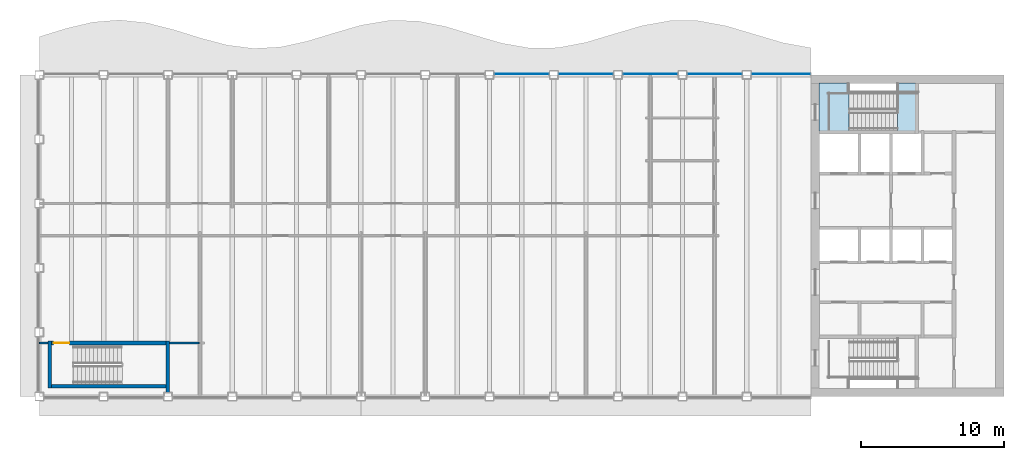
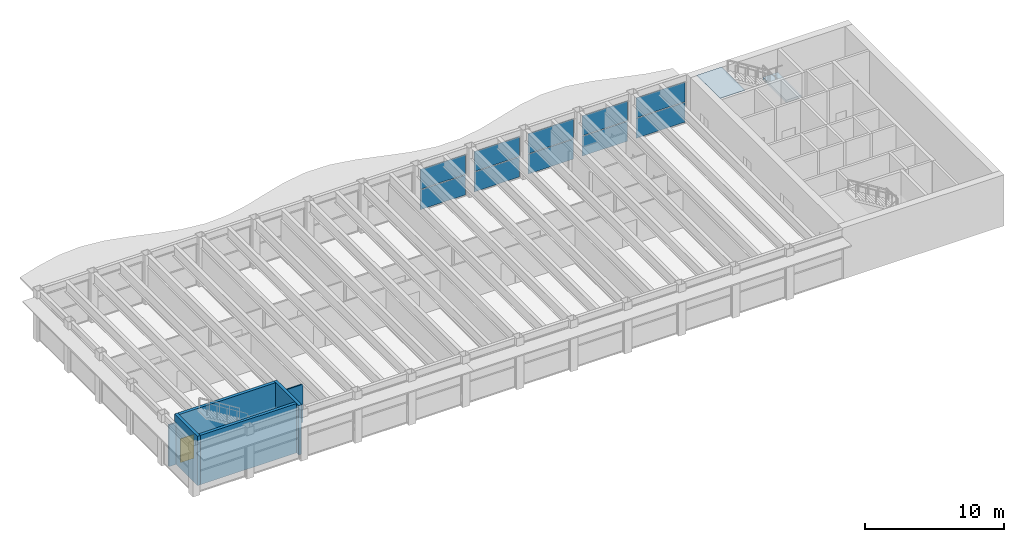
# One storey, part 8 of 15: 10 plates, 6 walls, 2 slabs, 1 door, 1 opening, 6 elements without a shape of their own.
"""IFC4 building model written with IfcOpenShell, lengths in metres."""

from ifc_helpers import new_model, si_unit, direction, frame, frame_2d, origin, origin_2d, place, context, subcontext, project, spatial, polyline, rectangle, outline, extrude, material, layer, layer_set, type_object, element, fill, aggregate, save


model = new_model("IFC4")

# Units and contexts
model_context = context("Model", 3, precision=1e-05, world=origin(), true_north=direction((0.0, 1.0)))
body_context = subcontext(model_context, "Body", "Model", "MODEL_VIEW")
ifc_project = project(units=[si_unit("LENGTHUNIT", "METRE"), si_unit("AREAUNIT", "SQUARE_METRE"), si_unit("VOLUMEUNIT", "CUBIC_METRE"), si_unit("PLANEANGLEUNIT", "RADIAN"), si_unit("MASSUNIT", "GRAM", prefix="KILO")], contexts=[model_context])

# Site, building, storey
site_placement = place(None, origin())
site = spatial("IfcSite", under=ifc_project, at=site_placement, CompositionType="ELEMENT")
building_placement = place(site_placement, origin())
building = spatial("IfcBuilding", under=site, at=building_placement, Name="Sennacour Bend Tower", CompositionType="ELEMENT")
storey_placement = place(building_placement, frame((0.0, 0.0, 323.0)))
storey = spatial("IfcBuildingStorey", under=building, at=storey_placement, Name="L74", CompositionType="ELEMENT", Elevation=323.0)

# Curtain wall, plates
ifc_material_1 = material(Name="Bronze anodised aluminium curtain wall with clear glass", Category="aluminium")
curtain_wall_type = type_object("IfcCurtainWallType", Name="CURTAIN WALL EXEC", PredefinedType="NOTDEFINED", material=ifc_material_1)
curtain_wall_1_placement = place(storey_placement, origin())
curtain_wall_1 = element("IfcCurtainWall", 1, at=curtain_wall_1_placement, inside=storey, type_object=curtain_wall_type, Name="Executive floor glass wall L74", PredefinedType="NOTDEFINED")
ifc_material_2 = material(Name="Clear low-emissivity glass", Category="glass")
ifc_layer_1 = layer(ifc_material_2, 0.031982421875, Name="Clear low-emissivity glass", Category="glass")
ifc_layer_set_1 = layer_set([ifc_layer_1], Name="Clear low-emissivity glass")
plate_type = type_object("IfcPlateType", Name="PNL-GLASS-IGU32", PredefinedType="CURTAIN_PANEL", material=ifc_layer_set_1)
plate_1_placement = place(storey_placement, frame((51.89990234375, 22.574951171875, 0.06005859375), z_axis=(0.0, 0.0, 1.0), x_axis=(-1.0, 0.0, 0.0)))
plate_1 = element("IfcPlate", 2, at=plate_1_placement, type_object=plate_type, Name="GW3 curtain wall panel 1.1", PredefinedType="CURTAIN_PANEL", context=body_context, shape_type="SweptSolid", body=[
    extrude(rectangle(XDim=4.080078125, YDim=0.031982421875, at=origin_2d()), origin(), (0.0, 0.0, 1.0), 1.74609375),
])
plate_2_placement = place(storey_placement, frame((51.89990234375, 22.574951171875, 1.865966796875), z_axis=(0.0, 0.0, 1.0), x_axis=(-1.0, 0.0, 0.0)))
plate_2 = element("IfcPlate", 3, at=plate_2_placement, type_object=plate_type, Name="GW3 curtain wall panel 1.2", PredefinedType="CURTAIN_PANEL", context=body_context, shape_type="SweptSolid", body=[
    extrude(rectangle(XDim=4.080078125, YDim=0.031982421875, at=origin_2d()), origin(), (0.0, 0.0, 1.0), 1.74609375),
])
aggregate(curtain_wall_1, [plate_1, plate_2])

curtain_wall_2_placement = place(storey_placement, origin())
curtain_wall_2 = element("IfcCurtainWall", 4, at=curtain_wall_2_placement, inside=storey, type_object=curtain_wall_type, Name="Executive floor glass wall L74", PredefinedType="NOTDEFINED")
plate_3_placement = place(storey_placement, frame((47.25, 22.574951171875, 0.06005859375), z_axis=(0.0, 0.0, 1.0), x_axis=(-1.0, 0.0, 0.0)))
plate_3 = element("IfcPlate", 5, at=plate_3_placement, type_object=plate_type, Name="GW3 curtain wall panel 1.1", PredefinedType="CURTAIN_PANEL", context=body_context, shape_type="SweptSolid", body=[
    extrude(rectangle(XDim=3.780029296875, YDim=0.031982421875, at=origin_2d()), origin(), (0.0, 0.0, 1.0), 1.74609375),
])
plate_4_placement = place(storey_placement, frame((47.25, 22.574951171875, 1.865966796875), z_axis=(0.0, 0.0, 1.0), x_axis=(-1.0, 0.0, 0.0)))
plate_4 = element("IfcPlate", 6, at=plate_4_placement, type_object=plate_type, Name="GW3 curtain wall panel 1.2", PredefinedType="CURTAIN_PANEL", context=body_context, shape_type="SweptSolid", body=[
    extrude(rectangle(XDim=3.780029296875, YDim=0.031982421875, at=origin_2d()), origin(), (0.0, 0.0, 1.0), 1.74609375),
])
aggregate(curtain_wall_2, [plate_3, plate_4])

curtain_wall_3_placement = place(storey_placement, origin())
curtain_wall_3 = element("IfcCurtainWall", 7, at=curtain_wall_3_placement, inside=storey, type_object=curtain_wall_type, Name="Executive floor glass wall L74", PredefinedType="NOTDEFINED")
plate_5_placement = place(storey_placement, frame((42.75, 22.574951171875, 0.06005859375), z_axis=(0.0, 0.0, 1.0), x_axis=(-1.0, 0.0, 0.0)))
plate_5 = element("IfcPlate", 8, at=plate_5_placement, type_object=plate_type, Name="GW3 curtain wall panel 1.1", PredefinedType="CURTAIN_PANEL", context=body_context, shape_type="SweptSolid", body=[
    extrude(rectangle(XDim=3.780029296875, YDim=0.031982421875, at=origin_2d()), origin(), (0.0, 0.0, 1.0), 1.74609375),
])
plate_6_placement = place(storey_placement, frame((42.75, 22.574951171875, 1.865966796875), z_axis=(0.0, 0.0, 1.0), x_axis=(-1.0, 0.0, 0.0)))
plate_6 = element("IfcPlate", 9, at=plate_6_placement, type_object=plate_type, Name="GW3 curtain wall panel 1.2", PredefinedType="CURTAIN_PANEL", context=body_context, shape_type="SweptSolid", body=[
    extrude(rectangle(XDim=3.780029296875, YDim=0.031982421875, at=origin_2d()), origin(), (0.0, 0.0, 1.0), 1.74609375),
])
aggregate(curtain_wall_3, [plate_5, plate_6])

curtain_wall_4_placement = place(storey_placement, origin())
curtain_wall_4 = element("IfcCurtainWall", 10, at=curtain_wall_4_placement, inside=storey, type_object=curtain_wall_type, Name="Executive floor glass wall L74", PredefinedType="NOTDEFINED")
plate_7_placement = place(storey_placement, frame((38.25, 22.574951171875, 0.06005859375), z_axis=(0.0, 0.0, 1.0), x_axis=(-1.0, 0.0, 0.0)))
plate_7 = element("IfcPlate", 11, at=plate_7_placement, type_object=plate_type, Name="GW3 curtain wall panel 1.1", PredefinedType="CURTAIN_PANEL", context=body_context, shape_type="SweptSolid", body=[
    extrude(rectangle(XDim=3.780029296875, YDim=0.031982421875, at=origin_2d()), origin(), (0.0, 0.0, 1.0), 1.74609375),
])
plate_8_placement = place(storey_placement, frame((38.25, 22.574951171875, 1.865966796875), z_axis=(0.0, 0.0, 1.0), x_axis=(-1.0, 0.0, 0.0)))
plate_8 = element("IfcPlate", 12, at=plate_8_placement, type_object=plate_type, Name="GW3 curtain wall panel 1.2", PredefinedType="CURTAIN_PANEL", context=body_context, shape_type="SweptSolid", body=[
    extrude(rectangle(XDim=3.780029296875, YDim=0.031982421875, at=origin_2d()), origin(), (0.0, 0.0, 1.0), 1.74609375),
])
aggregate(curtain_wall_4, [plate_7, plate_8])

curtain_wall_5_placement = place(storey_placement, origin())
curtain_wall_5 = element("IfcCurtainWall", 13, at=curtain_wall_5_placement, inside=storey, type_object=curtain_wall_type, Name="Executive floor glass wall L74", PredefinedType="NOTDEFINED")
plate_9_placement = place(storey_placement, frame((33.75, 22.574951171875, 0.06005859375), z_axis=(0.0, 0.0, 1.0), x_axis=(-1.0, 0.0, 0.0)))
plate_9 = element("IfcPlate", 14, at=plate_9_placement, type_object=plate_type, Name="GW3 curtain wall panel 1.1", PredefinedType="CURTAIN_PANEL", context=body_context, shape_type="SweptSolid", body=[
    extrude(rectangle(XDim=3.780029296875, YDim=0.031982421875, at=origin_2d()), origin(), (0.0, 0.0, 1.0), 1.74609375),
])
plate_10_placement = place(storey_placement, frame((33.75, 22.574951171875, 1.865966796875), z_axis=(0.0, 0.0, 1.0), x_axis=(-1.0, 0.0, 0.0)))
plate_10 = element("IfcPlate", 15, at=plate_10_placement, type_object=plate_type, Name="GW3 curtain wall panel 1.2", PredefinedType="CURTAIN_PANEL", context=body_context, shape_type="SweptSolid", body=[
    extrude(rectangle(XDim=3.780029296875, YDim=0.031982421875, at=origin_2d()), origin(), (0.0, 0.0, 1.0), 1.74609375),
])
aggregate(curtain_wall_5, [plate_9, plate_10])

# Slab
ifc_material_3 = material(Name="Concrete C40/50", Category="concrete")
ifc_layer_2 = layer(ifc_material_3, 0.034912109375, Name="Concrete C40/50", Category="concrete")
ifc_layer_set_2 = layer_set([ifc_layer_2], Name="Concrete C40/50")
slab_type_1 = type_object("IfcSlabType", Name="Stair arrival nib 35", PredefinedType="FLOOR", material=ifc_layer_set_2)
slab_1_placement = place(storey_placement, frame((0.0, 0.0, 4.315185546875)))
element("IfcSlab", 16, at=slab_1_placement, inside=storey, type_object=slab_type_1, Name="L74 SA2 stair arrival nib", PredefinedType="FLOOR", context=body_context, shape_type="SweptSolid", body=[
    extrude(outline(polyline([(56.64208984375, 21.949951171875), (54.550048828125, 21.949951171875), (54.550048828125, 18.574951171875), (56.64208984375, 18.574951171875), (56.64208984375, 21.949951171875)])), origin(), (0.0, 0.0, 1.0), 0.034912109375),
])

# Stair, slab
stair_type = type_object("IfcStairType", Name="ST-DOGLEG", PredefinedType="HALF_TURN_STAIR", material=ifc_material_3)
stair_placement = place(storey_placement, origin())
stair = element("IfcStair", 17, at=stair_placement, inside=storey, type_object=stair_type, Name="L74 Exit stair A2", PredefinedType="HALF_TURN_STAIR")
ifc_layer_3 = layer(ifc_material_3, 0.199951171875, Name="Concrete C40/50", Category="concrete")
ifc_layer_set_3 = layer_set([ifc_layer_3], Name="Concrete C40/50")
slab_type_2 = type_object("IfcSlabType", Name="Stair landing 200", PredefinedType="LANDING", material=ifc_layer_set_3)
slab_2_placement = place(storey_placement, frame((0.0, 0.0, 2.050048828125)))
slab_2 = element("IfcSlab", 18, at=slab_2_placement, type_object=slab_type_2, Name="SA2 landing 1", PredefinedType="LANDING", context=body_context, shape_type="SweptSolid", body=[
    extrude(outline(polyline([(60.06005859375, 18.574951171875), (61.324951171875, 18.574951171875), (61.324951171875, 21.949951171875), (60.06005859375, 21.949951171875), (60.06005859375, 18.574951171875)])), origin(), (0.0, 0.0, 1.0), 0.199951171875),
])
aggregate(stair, [slab_2])

# Walls
ifc_material_4 = material(Name="Plasterboard partition on steel studs", Category="steel")
ifc_layer_4 = layer(ifc_material_4, 0.1201171875, Name="Plasterboard partition on steel studs", Category="steel")
ifc_layer_set_4 = layer_set([ifc_layer_4], Name="Plasterboard partition on steel studs")
wall_type_1 = type_object("IfcWallType", Name="Partition 120", PredefinedType="PARTITIONING", material=ifc_layer_set_4)
wall_1_placement = place(storey_placement, frame((0.010009765625, 3.75, 0.0), z_axis=(0.0, 0.0, 1.0), x_axis=(1.0, 0.0, 0.0)))
element("IfcWall", 19, at=wall_1_placement, inside=storey, type_object=wall_type_1, Name="P-L74-W029a", PredefinedType="PARTITIONING", context=body_context, shape_type="SweptSolid", body=[
    extrude(rectangle(XDim=0.590087890625, YDim=0.1201171875, at=frame_2d((0.294921875, 0.0))), origin(), (0.0, 0.0, 1.0), 3.672119140625),
])
wall_2_placement = place(storey_placement, frame((9.125, 3.75, 0.0), z_axis=(0.0, 0.0, 1.0), x_axis=(1.0, 0.0, 0.0)))
element("IfcWall", 20, at=wall_2_placement, inside=storey, type_object=wall_type_1, Name="P-L74-W031aa", PredefinedType="PARTITIONING", context=body_context, shape_type="SweptSolid", body=[
    extrude(rectangle(XDim=2.06494140625, YDim=0.1201171875, at=frame_2d((1.032470703125, 0.0))), origin(), (0.0, 0.0, 1.0), 3.35888671875),
])
ifc_material_5 = material(Name="Concrete C60/75", Category="concrete")
ifc_layer_5 = layer(ifc_material_5, 0.25, Name="Concrete C60/75", Category="concrete")
ifc_layer_set_5 = layer_set([ifc_layer_5], Name="Concrete C60/75")
wall_type_2 = type_object("IfcWallType", Name="Stair wall 250", PredefinedType="SHEAR", material=ifc_layer_set_5)
wall_3_placement = place(storey_placement, frame((0.72509765625, 0.60009765625, 0.0), z_axis=(0.0, 0.0, 1.0), x_axis=(0.0, 1.0, 0.0)))
element("IfcWall", 21, at=wall_3_placement, inside=storey, type_object=wall_type_2, Name="P-L74-W002", PredefinedType="SHEAR", context=body_context, shape_type="SweptSolid", body=[
    extrude(rectangle(XDim=3.27490234375, YDim=0.25, at=frame_2d((1.637451171875, 0.0))), origin(), (0.0, 0.0, 1.0), 4.35009765625),
])
wall_4_placement = place(storey_placement, frame((9.0, 0.300048828125, 0.0), z_axis=(0.0, 0.0, 1.0), x_axis=(0.0, 1.0, 0.0)))
element("IfcWall", 22, at=wall_4_placement, inside=storey, type_object=wall_type_2, Name="P-L74-W003", PredefinedType="SHEAR", context=body_context, shape_type="SweptSolid", body=[
    extrude(rectangle(XDim=3.574951171875, YDim=0.25, at=frame_2d((1.78759765625, 0.0))), origin(), (0.0, 0.0, 1.0), 4.35009765625),
])
wall_5_placement = place(storey_placement, frame((0.85009765625, 0.72509765625, 0.0), z_axis=(0.0, 0.0, 1.0), x_axis=(1.0, 0.0, 0.0)))
element("IfcWall", 23, at=wall_5_placement, inside=storey, type_object=wall_type_2, Name="P-L74-W028", PredefinedType="SHEAR", context=body_context, shape_type="SweptSolid", body=[
    extrude(rectangle(XDim=8.02490234375, YDim=0.25, at=frame_2d((4.012451171875, 0.0))), origin(), (0.0, 0.0, 1.0), 4.35009765625),
])

# Wall, opening, door
wall_6_placement = place(storey_placement, frame((0.85009765625, 3.75, 0.0), z_axis=(0.0, 0.0, 1.0), x_axis=(1.0, 0.0, 0.0)))
wall_6 = element("IfcWall", 24, at=wall_6_placement, inside=storey, type_object=wall_type_2, Name="P-L74-W030", PredefinedType="SHEAR", context=body_context, shape_type="SweptSolid", body=[
    extrude(rectangle(XDim=8.02490234375, YDim=0.25, at=frame_2d((4.012451171875, 0.0))), origin(), (0.0, 0.0, 1.0), 4.35009765625),
])
opening_placement = place(wall_6_placement, frame((0.14990234375, 0.0, 0.0)))
opening = element("IfcOpeningElement", 25, at=opening_placement, cuts=wall_6, Name="Opening SD", PredefinedType="OPENING", context=body_context, shape_type="SweptSolid", body=[
    extrude(rectangle(XDim=1.10009765625, YDim=2.10009765625, at=frame_2d((0.550048828125, 1.050048828125))), frame((0.0, 0.135009765625, 0.0), z_axis=(0.0, -1.0, 0.0), x_axis=(1.0, 0.0, 0.0)), (0.0, 0.0, 1.0), 0.27001953125),
])
ifc_material_6 = material(Name="Painted steel", Category="steel")
door_type = type_object("IfcDoorType", Name="DR-STAIR-1100", OperationType="NOTDEFINED", PredefinedType="DOOR", material=ifc_material_6)
door_placement = place(opening_placement, origin())
door = element("IfcDoor", 26, at=door_placement, inside=storey, type_object=door_type, Name="Door", OperationType="SINGLE_SWING_LEFT", OverallHeight=2.10009765625, OverallWidth=1.10009765625, PredefinedType="DOOR", context=body_context, shape_type="SweptSolid", body=[
    extrude(rectangle(XDim=1.10009765625, YDim=2.10009765625, at=frame_2d((0.550048828125, 1.050048828125))), frame((0.0, 0.02490234375, 0.0), z_axis=(0.0, -1.0, 0.0), x_axis=(1.0, 0.0, 0.0)), (0.0, 0.0, 1.0), 0.050048828125),
])
fill(opening, door)

save(model, "model.ifc")
